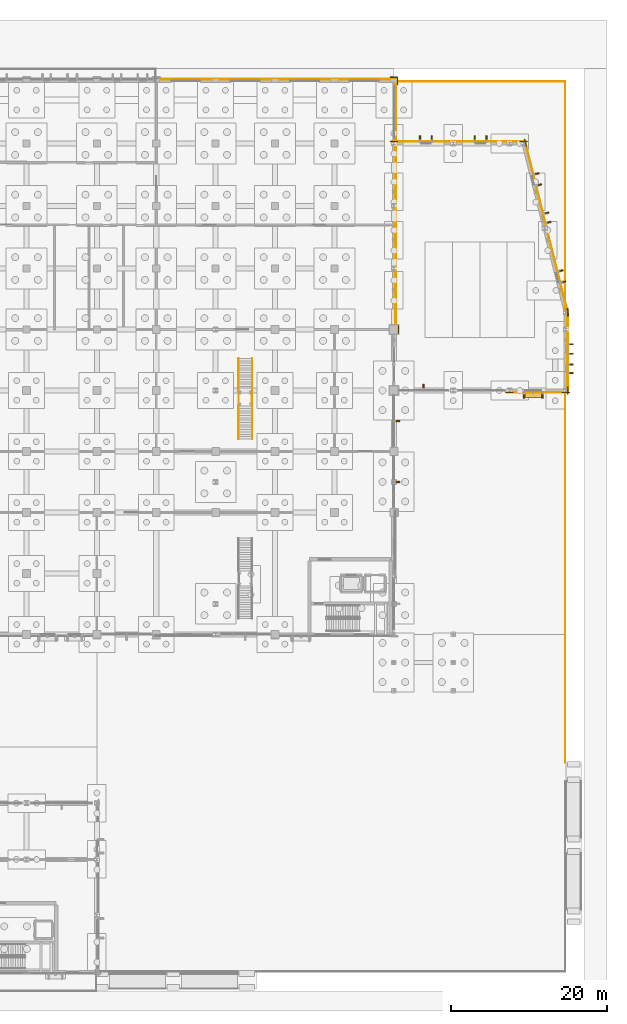
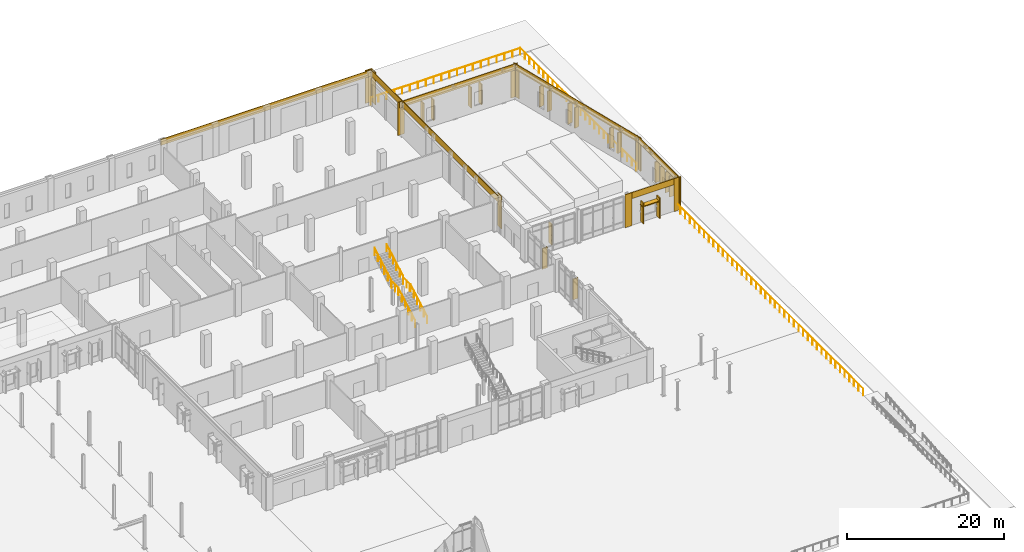
# One storey, part 93 of 94: 20 shading devices, 17 coverings, 10 railings.
"""IFC4 building model written with IfcOpenShell, lengths in metres."""

import ifcopenshell
import ifcopenshell.guid

model = None  # the IFC model being written
_history = None  # IfcOwnerHistory: only IFC2X3 demands one
_inside = {}  # id of a spatial element -> (the spatial element, [elements in it])
_under = {}  # id of a project, library or spatial element -> (it, [spatial elements below it])
_declared = {}  # id of a project -> (the project, [libraries it declares])
_typed = {}  # id of a type object -> (the type object, [elements of that type])
_made_of = {}  # id of a material, layer set ... -> (it, [elements and type objects made of it])


def new_model(schema):
    """Start an empty IFC model of exactly this schema.

    Asked for "IFC4X3", IfcOpenShell would pick the latest addendum, in which some entities
    have other attributes; the version numbers below select the first issue.
    IFC2X3 requires an IfcOwnerHistory on every rooted entity: one is made here for all.
    """
    global model, _history
    if schema == "IFC4X3":
        model = ifcopenshell.file(schema_version=(4, 3, 0, 0))
    else:
        model = ifcopenshell.file(schema=schema)
    _inside.clear()
    _under.clear()
    _declared.clear()
    _typed.clear()
    _made_of.clear()
    _history = None
    if model.schema == "IFC2X3":
        org = make("IfcOrganization", Name="unknown")
        user = make(
            "IfcPersonAndOrganization",
            ThePerson=make("IfcPerson", FamilyName="unknown"),
            TheOrganization=org,
        )
        app = make(
            "IfcApplication",
            ApplicationDeveloper=org,
            Version="unknown",
            ApplicationFullName="unknown",
            ApplicationIdentifier="unknown",
        )
        _history = make(
            "IfcOwnerHistory",
            OwningUser=user,
            OwningApplication=app,
            ChangeAction="ADDED",
            CreationDate=0,
        )
    return model


def make(cls, **values):
    """One entity of the class cls with the attributes given. An attribute that is None is left unset."""
    return model.create_entity(
        cls, **{name: value for name, value in values.items() if value is not None}
    )


def rooted(cls, **values):
    """An entity with a GlobalId (a new one), such as an element, a storey or a relation."""
    return make(cls, GlobalId=ifcopenshell.guid.new(), OwnerHistory=_history, **values)


def si_unit(unit_type, name, prefix=None):
    """IfcSIUnit, for example si_unit("LENGTHUNIT", "METRE", prefix="MILLI")."""
    return make("IfcSIUnit", UnitType=unit_type, Prefix=prefix, Name=name)


def assignment(units):
    """IfcUnitAssignment: the units of a project."""
    return None if units is None else make("IfcUnitAssignment", Units=units)


def point(xyz):
    """IfcCartesianPoint."""
    return None if xyz is None else make("IfcCartesianPoint", Coordinates=xyz)


def direction(xyz):
    """IfcDirection."""
    return None if xyz is None else make("IfcDirection", DirectionRatios=xyz)


def frame(location, z_axis=None, x_axis=None):
    """IfcAxis2Placement3D, a coordinate frame: its origin and axes. An axis left out is left unset."""
    return make(
        "IfcAxis2Placement3D",
        Location=point(location),
        Axis=direction(z_axis),
        RefDirection=direction(x_axis),
    )


def frame_2d(location, x_axis=None):
    """IfcAxis2Placement2D, a coordinate frame in the plane: its origin and x axis."""
    return make(
        "IfcAxis2Placement2D", Location=point(location), RefDirection=direction(x_axis)
    )


def origin():
    """The frame at (0, 0, 0) with its axes left unset."""
    return frame((0.0, 0.0, 0.0))


def origin_2d():
    """The frame at (0, 0) in the plane with its x axis left unset."""
    return frame_2d((0.0, 0.0))


def place(relative_to, where):
    """IfcLocalPlacement: puts the frame where relative to a parent placement (None: the world)."""
    return make(
        "IfcLocalPlacement", PlacementRelTo=relative_to, RelativePlacement=where
    )


def context(
    kind, dimensions, precision=None, world=None, true_north=None, identifier=None
):
    """IfcGeometricRepresentationContext, for example the 3D "Model" context."""
    return make(
        "IfcGeometricRepresentationContext",
        ContextIdentifier=identifier,
        ContextType=kind,
        CoordinateSpaceDimension=dimensions,
        Precision=precision,
        WorldCoordinateSystem=world,
        TrueNorth=true_north,
    )


def subcontext(parent, identifier, kind, view, scale=None):
    """IfcGeometricRepresentationSubContext, for example "Body" below "Model"."""
    return make(
        "IfcGeometricRepresentationSubContext",
        ContextIdentifier=identifier,
        ContextType=kind,
        ParentContext=parent,
        TargetScale=scale,
        TargetView=view,
    )


def project(units=None, contexts=None):
    """IfcProject with its units and contexts."""
    return rooted(
        "IfcProject",
        Name="project",
        RepresentationContexts=contexts,
        UnitsInContext=assignment(units),
    )


def spatial(cls, under=None, at=None, **own):
    """A site, building, storey or space (cls), placed at a placement, below another one or the project."""
    s = rooted(cls, ObjectPlacement=at, **own)
    if under is not None:
        _under.setdefault(under.id(), (under, []))[1].append(s)
    return s


def profile(cls, at=None, kind="AREA", **sizes):
    """A parametric profile (cls). Its sizes go by their IFC names, for example OverallWidth=200.0."""
    return make(cls, ProfileType=kind, Position=at, **sizes)


def rectangle(**sizes):
    """IfcRectangleProfileDef."""
    return profile("IfcRectangleProfileDef", **sizes)


def circle(**sizes):
    """IfcCircleProfileDef."""
    return profile("IfcCircleProfileDef", **sizes)


def extrude(swept, where, along, depth):
    """IfcExtrudedAreaSolid: the profile swept, set in the frame where, extruded along a direction by depth."""
    return make(
        "IfcExtrudedAreaSolid",
        SweptArea=swept,
        Position=where,
        ExtrudedDirection=direction(along),
        Depth=depth,
    )


def shape(context_of_items, identifier, shape_type, items):
    """IfcShapeRepresentation: the items that make up one representation, for example the "Body"."""
    return make(
        "IfcShapeRepresentation",
        ContextOfItems=context_of_items,
        RepresentationIdentifier=identifier,
        RepresentationType=shape_type,
        Items=items,
    )


def material(Name=None, Category=None):
    """IfcMaterial."""
    return make("IfcMaterial", Name=Name, Category=Category)


def layer(
    of_material, thickness, ventilated=None, Name=None, Category=None, Priority=None
):
    """IfcMaterialLayer: one layer of a wall or slab, of a material (None: an air gap)."""
    return make(
        "IfcMaterialLayer",
        Material=of_material,
        LayerThickness=thickness,
        IsVentilated=ventilated,
        Name=Name,
        Category=Category,
        Priority=Priority,
    )


def layer_set(layers, Name=None):
    """IfcMaterialLayerSet."""
    return make("IfcMaterialLayerSet", MaterialLayers=layers, LayerSetName=Name)


def made_of(thing, what):
    """Note that an element or type object is made of a material, layer set ...; save() writes the relation."""
    if what is not None:
        _made_of.setdefault(what.id(), (what, []))[1].append(thing)
    return thing


def type_object(cls, material=None, **own):
    """A type object (cls), such as IfcWallType, which elements share."""
    return made_of(rooted(cls, **own), material)


def element(
    cls,
    number,
    at=None,
    inside=None,
    cuts=None,
    type_object=None,
    material=None,
    context=None,
    identifier="Body",
    shape_type=None,
    held_by="IfcProductDefinitionShape",
    body=None,
    shapes=None,
    **own,
):
    """One element of the class cls, such as IfcWall. Its Tag is "e" and its number.

    at: its placement. inside: the storey or other place that contains it. cuts: it is an
    opening in that element (IfcRelVoidsElement). A single representation is given by context,
    identifier, shape_type and body (its items); several are given by shapes. held_by: the class
    of the entity that holds the representations. save() writes the other relations.
    """
    e = rooted(cls, Tag="e%d" % number, ObjectPlacement=at, **own)
    if body is not None:
        shapes = [shape(context, identifier, shape_type, body)]
    if shapes is not None:
        e.Representation = make(held_by, Representations=shapes)
    if inside is not None:
        _inside.setdefault(inside.id(), (inside, []))[1].append(e)
    if cuts is not None:
        rooted(
            "IfcRelVoidsElement", RelatingBuildingElement=cuts, RelatedOpeningElement=e
        )
    if type_object is not None:
        _typed.setdefault(type_object.id(), (type_object, []))[1].append(e)
    return made_of(e, material)


def aggregate(whole, parts):
    """IfcRelAggregates: a whole, such as a stair, and the parts it consists of."""
    return rooted("IfcRelAggregates", RelatingObject=whole, RelatedObjects=parts)


def save(model, path):
    """Write the relations noted so far, then the file.

    IfcRelAggregates (storeys below a building ...), IfcRelContainedInSpatialStructure (elements
    in a storey), IfcRelDefinesByType, IfcRelAssociatesMaterial and IfcRelDeclares: one each for
    every whole, place, type object, material and project.
    """
    for whole, parts in _under.values():
        aggregate(whole, parts)
    for where, things in _inside.values():
        rooted(
            "IfcRelContainedInSpatialStructure",
            RelatedElements=things,
            RelatingStructure=where,
        )
    for kind, things in _typed.values():
        rooted("IfcRelDefinesByType", RelatedObjects=things, RelatingType=kind)
    for what, things in _made_of.values():
        rooted("IfcRelAssociatesMaterial", RelatedObjects=things, RelatingMaterial=what)
    for by, libraries in _declared.values():
        rooted("IfcRelDeclares", RelatingContext=by, RelatedDefinitions=libraries)
    model.write(path)


model = new_model("IFC4")

# Units and contexts
model_context = context("Model", 3, precision=1e-05, world=origin(), true_north=direction((0.0, 1.0)))
body_context = subcontext(model_context, "Body", "Model", "MODEL_VIEW")
ifc_project = project(units=[si_unit("LENGTHUNIT", "METRE"), si_unit("AREAUNIT", "SQUARE_METRE"), si_unit("VOLUMEUNIT", "CUBIC_METRE"), si_unit("PLANEANGLEUNIT", "RADIAN"), si_unit("MASSUNIT", "GRAM", prefix="KILO")], contexts=[model_context])

# Site, building, storey
site_placement = place(None, origin())
site = spatial("IfcSite", under=ifc_project, at=site_placement, CompositionType="ELEMENT")
building_placement = place(site_placement, origin())
building = spatial("IfcBuilding", under=site, at=building_placement, Name="Vervanel Yard Central Library", CompositionType="ELEMENT")
storey_placement = place(building_placement, origin())
storey = spatial("IfcBuildingStorey", under=building, at=storey_placement, Name="L00", CompositionType="ELEMENT", Elevation=0.0)

# Coverings
ifc_material_1 = material(Name="Precast concrete C45/55", Category="concrete")
ifc_layer = layer(ifc_material_1, 0.0849609375, Category="concrete")
ifc_layer_set = layer_set([ifc_layer], Name="Precast concrete C45/55")
covering_type = type_object("IfcCoveringType", Name="Bush-Hammered Precast Architectural Cladding Panel", PredefinedType="CLADDING", material=ifc_layer_set)
covering_1_placement = place(storey_placement, frame((130.800048828125, 114.22998046875, 4.179931640625), z_axis=(0.0, 0.0, 1.0), x_axis=(1.0, 0.0, 0.0)))
element("IfcCovering", 1, at=covering_1_placement, inside=storey, type_object=covering_type, Name="L00 Precast Concrete Spandrel Cornice EWALL-L00-0010", PredefinedType="CLADDING", context=body_context, shape_type="SweptSolid", body=[
    extrude(rectangle(XDim=30.85009765625, YDim=0.0849609375, at=origin_2d()), origin(), (0.0, 0.0, 1.0), 0.93994140625),
])
covering_2_placement = place(storey_placement, frame((146.0, 114.467529296875, 0.0), z_axis=(0.0, 0.0, 1.0), x_axis=(1.0, 0.0, 0.0)))
element("IfcCovering", 2, at=covering_2_placement, inside=storey, type_object=covering_type, Name="L00 Precast Concrete Pier Pilaster EWALL-L00-0010-B", PredefinedType="CLADDING", context=body_context, shape_type="SweptSolid", body=[
    extrude(rectangle(XDim=0.97998046875, YDim=0.0849609375, at=origin_2d()), origin(), (0.0, 0.0, 1.0), 5.1201171875),
])
covering_3_placement = place(storey_placement, frame((146.239990234375, 98.10009765625, 4.179931640625), z_axis=(0.0, 0.0, 1.0), x_axis=(0.0, 1.0, 0.0)))
element("IfcCovering", 3, at=covering_3_placement, inside=storey, type_object=covering_type, Name="L00 Precast Concrete Spandrel Cornice EWALL-L00-0018", PredefinedType="CLADDING", context=body_context, shape_type="SweptSolid", body=[
    extrude(rectangle(XDim=32.25, YDim=0.0849609375, at=origin_2d()), origin(), (0.0, 0.0, 1.0), 0.93994140625),
])
for number, where, z_axis, x_axis, name in (
    (4, (146.592529296875, 82.199951171875, 0.0), (0.0, 0.0, 1.0), (0.0, 1.0, 0.0), "L00 Precast Concrete Pier Pilaster EWALL-L00-0018-A"),
    (5, (146.467529296875, 114.0, 0.0), (0.0, 0.0, 1.0), (0.0, 1.0, 0.0), "L00 Precast Concrete Pier Pilaster EWALL-L00-0018-B"),
):
    element("IfcCovering", number, at=place(storey_placement, frame(where, z_axis=z_axis, x_axis=x_axis)), inside=storey, type_object=covering_type, Name=name, PredefinedType="CLADDING", context=body_context, shape_type="SweptSolid", body=[
        extrude(rectangle(XDim=0.97998046875, YDim=0.0849609375, at=origin_2d()), origin(), (0.0, 0.0, 1.0), 5.1201171875),
    ])
covering_4_placement = place(storey_placement, frame((164.39990234375, 74.14990234375, 4.179931640625), z_axis=(0.0, 0.0, 1.0), x_axis=(1.0, 0.0, 0.0)))
element("IfcCovering", 6, at=covering_4_placement, inside=storey, type_object=covering_type, Name="L00 Precast Concrete Spandrel Cornice EWALL-L00-0178", PredefinedType="CLADDING", context=body_context, shape_type="SweptSolid", body=[
    extrude(rectangle(XDim=7.64990234375, YDim=0.0849609375, at=origin_2d()), origin(), (0.0, 0.0, 1.0), 0.93994140625),
])
for number, where, z_axis, x_axis, name in (
    (7, (160.800048828125, 74.1474609375, 0.0), (0.0, 0.0, 1.0), (1.0, 0.0, 0.0), "L00 Precast Concrete Pier Pilaster EWALL-L00-0178-A"),
    (8, (168.0, 74.1474609375, 0.0), (0.0, 0.0, 1.0), (1.0, 0.0, 0.0), "L00 Precast Concrete Pier Pilaster EWALL-L00-0178-B"),
):
    element("IfcCovering", number, at=place(storey_placement, frame(where, z_axis=z_axis, x_axis=x_axis)), inside=storey, type_object=covering_type, Name=name, PredefinedType="CLADDING", context=body_context, shape_type="SweptSolid", body=[
        extrude(rectangle(XDim=0.97998046875, YDim=0.0849609375, at=origin_2d()), origin(), (0.0, 0.0, 1.0), 5.1201171875),
    ])
covering_5_placement = place(storey_placement, frame((168.25, 79.39990234375, 4.179931640625), z_axis=(0.0, 0.0, 1.0), x_axis=(0.0, 1.0, 0.0)))
element("IfcCovering", 9, at=covering_5_placement, inside=storey, type_object=covering_type, Name="L00 Precast Concrete Spandrel Cornice EWALL-L00-0179", PredefinedType="CLADDING", context=body_context, shape_type="SweptSolid", body=[
    extrude(rectangle(XDim=10.449951171875, YDim=0.0849609375, at=origin_2d()), origin(), (0.0, 0.0, 1.0), 0.93994140625),
])
for number, where, z_axis, x_axis, name in (
    (10, (168.25244140625, 74.39990234375, 0.0), (0.0, 0.0, 1.0), (0.0, 1.0, 0.0), "L00 Precast Concrete Pier Pilaster EWALL-L00-0179-A"),
    (11, (168.25244140625, 84.39990234375, 0.0), (0.0, 0.0, 1.0), (0.0, 1.0, 0.0), "L00 Precast Concrete Pier Pilaster EWALL-L00-0179-B"),
):
    element("IfcCovering", number, at=place(storey_placement, frame(where, z_axis=z_axis, x_axis=x_axis)), inside=storey, type_object=covering_type, Name=name, PredefinedType="CLADDING", context=body_context, shape_type="SweptSolid", body=[
        extrude(rectangle(XDim=0.97998046875, YDim=0.0849609375, at=origin_2d()), origin(), (0.0, 0.0, 1.0), 5.1201171875),
    ])
covering_6_placement = place(storey_placement, frame((165.54248046875, 95.260498046875, 4.179931640625), z_axis=(0.0, 0.0, 1.0), x_axis=(-0.242534889029, 0.970142684147, 0.0)))
element("IfcCovering", 12, at=covering_6_placement, inside=storey, type_object=covering_type, Name="L00 Precast Concrete Spandrel Cornice EWALL-L00-0180", PredefinedType="CLADDING", context=body_context, shape_type="SweptSolid", body=[
    extrude(rectangle(XDim=22.71484375, YDim=0.0849609375, at=origin_2d()), origin(), (0.0, 0.0, 1.0), 0.93994140625),
])
for number, where, z_axis, x_axis, name in (
    (13, (168.2451171875, 84.461181640625, 0.0), (0.0, 0.0, 1.0), (-0.242534889029, 0.970142684147, 0.0), "L00 Precast Concrete Pier Pilaster EWALL-L00-0180-A"),
    (14, (162.844970703125, 106.061279296875, 0.0), (0.0, 0.0, 1.0), (-0.242534889029, 0.970142684147, 0.0), "L00 Precast Concrete Pier Pilaster EWALL-L00-0180-B"),
):
    element("IfcCovering", number, at=place(storey_placement, frame(where, z_axis=z_axis, x_axis=x_axis)), inside=storey, type_object=covering_type, Name=name, PredefinedType="CLADDING", context=body_context, shape_type="SweptSolid", body=[
        extrude(rectangle(XDim=0.97998046875, YDim=0.0849609375, at=origin_2d()), origin(), (0.0, 0.0, 1.0), 5.1201171875),
    ])
covering_7_placement = place(storey_placement, frame((154.300048828125, 106.25, 4.179931640625), z_axis=(0.0, 0.0, 1.0), x_axis=(1.0, 0.0, 0.0)))
element("IfcCovering", 15, at=covering_7_placement, inside=storey, type_object=covering_type, Name="L00 Precast Concrete Spandrel Cornice EWALL-L00-0181", PredefinedType="CLADDING", context=body_context, shape_type="SweptSolid", body=[
    extrude(rectangle(XDim=17.050048828125, YDim=0.0849609375, at=origin_2d()), origin(), (0.0, 0.0, 1.0), 0.93994140625),
])
for number, where, z_axis, x_axis, name in (
    (16, (146.0, 106.25244140625, 0.0), (0.0, 0.0, 1.0), (1.0, 0.0, 0.0), "L00 Precast Concrete Pier Pilaster EWALL-L00-0181-A"),
    (17, (162.60009765625, 106.25244140625, 0.0), (0.0, 0.0, 1.0), (1.0, 0.0, 0.0), "L00 Precast Concrete Pier Pilaster EWALL-L00-0181-B"),
):
    element("IfcCovering", number, at=place(storey_placement, frame(where, z_axis=z_axis, x_axis=x_axis)), inside=storey, type_object=covering_type, Name=name, PredefinedType="CLADDING", context=body_context, shape_type="SweptSolid", body=[
        extrude(rectangle(XDim=0.97998046875, YDim=0.0849609375, at=origin_2d()), origin(), (0.0, 0.0, 1.0), 5.1201171875),
    ])

# Railings
ifc_material_2 = material(Name="Brushed stainless steel AISI 316", Category="steel")
railing_type_1 = type_object("IfcRailingType", Name="Exterior Terrace Guardrail 1100", PredefinedType="GUARDRAIL", material=ifc_material_2)
railing_1_placement = place(storey_placement, frame((167.919921875, 26.800048828125, 0.0)))
element("IfcRailing", 18, at=railing_1_placement, inside=storey, type_object=railing_type_1, Name="L00 Southeast Forecourt Arrival Plaza Edge Guard 6", PredefinedType="GUARDRAIL", context=body_context, shape_type="SweptSolid", body=[
    extrude(circle(Radius=0.02392578125, at=origin_2d()), frame((0.0, 0.0, 1.076171875), z_axis=(0.0, 1.0, 0.0), x_axis=(-1.0, 0.0, 0.0)), (0.0, 0.0, 1.0), 16.39990234375),
    extrude(circle(Radius=0.02099609375, at=origin_2d()), origin(), (0.0, 0.0, 1.0), 1.052001953125),
    extrude(circle(Radius=0.02099609375, at=origin_2d()), frame((0.0, 1.17138671875, 0.0)), (0.0, 0.0, 1.0), 1.052001953125),
    extrude(circle(Radius=0.02099609375, at=origin_2d()), frame((0.0, 2.3427734375, 0.0)), (0.0, 0.0, 1.0), 1.052001953125),
    extrude(circle(Radius=0.02099609375, at=origin_2d()), frame((0.0, 3.51416015625, 0.0)), (0.0, 0.0, 1.0), 1.052001953125),
    extrude(circle(Radius=0.02099609375, at=origin_2d()), frame((0.0, 4.685791015625, 0.0)), (0.0, 0.0, 1.0), 1.052001953125),
    extrude(circle(Radius=0.02099609375, at=origin_2d()), frame((0.0, 5.857177734375, 0.0)), (0.0, 0.0, 1.0), 1.052001953125),
    extrude(circle(Radius=0.02099609375, at=origin_2d()), frame((0.0, 7.028564453125, 0.0)), (0.0, 0.0, 1.0), 1.052001953125),
    extrude(circle(Radius=0.02099609375, at=origin_2d()), frame((0.0, 8.199951171875, 0.0)), (0.0, 0.0, 1.0), 1.052001953125),
    extrude(circle(Radius=0.02099609375, at=origin_2d()), frame((0.0, 9.371337890625, 0.0)), (0.0, 0.0, 1.0), 1.052001953125),
    extrude(circle(Radius=0.02099609375, at=origin_2d()), frame((0.0, 10.542724609375, 0.0)), (0.0, 0.0, 1.0), 1.052001953125),
    extrude(circle(Radius=0.02099609375, at=origin_2d()), frame((0.0, 11.714111328125, 0.0)), (0.0, 0.0, 1.0), 1.052001953125),
    extrude(circle(Radius=0.02099609375, at=origin_2d()), frame((0.0, 12.8857421875, 0.0)), (0.0, 0.0, 1.0), 1.052001953125),
    extrude(circle(Radius=0.02099609375, at=origin_2d()), frame((0.0, 14.05712890625, 0.0)), (0.0, 0.0, 1.0), 1.052001953125),
    extrude(circle(Radius=0.02099609375, at=origin_2d()), frame((0.0, 15.228515625, 0.0)), (0.0, 0.0, 1.0), 1.052001953125),
    extrude(circle(Radius=0.02099609375, at=origin_2d()), frame((0.0, 16.39990234375, 0.0)), (0.0, 0.0, 1.0), 1.052001953125),
])
railing_2_placement = place(storey_placement, frame((167.919921875, 43.199951171875, 0.0)))
element("IfcRailing", 19, at=railing_2_placement, inside=storey, type_object=railing_type_1, Name="L00 Prow Covered Civic Forecourt Terrace Edge Guard 7", PredefinedType="GUARDRAIL", context=body_context, shape_type="SweptSolid", body=[
    extrude(circle(Radius=0.02392578125, at=origin_2d()), frame((0.0, 0.0, 1.076171875), z_axis=(0.0, 1.0, 0.0), x_axis=(-1.0, 0.0, 0.0)), (0.0, 0.0, 1.0), 31.199951171875),
    extrude(circle(Radius=0.02099609375, at=origin_2d()), origin(), (0.0, 0.0, 1.0), 1.052001953125),
    extrude(circle(Radius=0.02099609375, at=origin_2d()), frame((0.0, 1.199951171875, 0.0)), (0.0, 0.0, 1.0), 1.052001953125),
    extrude(circle(Radius=0.02099609375, at=origin_2d()), frame((0.0, 2.39990234375, 0.0)), (0.0, 0.0, 1.0), 1.052001953125),
    extrude(circle(Radius=0.02099609375, at=origin_2d()), frame((0.0, 3.60009765625, 0.0)), (0.0, 0.0, 1.0), 1.052001953125),
    extrude(circle(Radius=0.02099609375, at=origin_2d()), frame((0.0, 4.800048828125, 0.0)), (0.0, 0.0, 1.0), 1.052001953125),
    extrude(circle(Radius=0.02099609375, at=origin_2d()), frame((0.0, 6.0, 0.0)), (0.0, 0.0, 1.0), 1.052001953125),
    extrude(circle(Radius=0.02099609375, at=origin_2d()), frame((0.0, 7.199951171875, 0.0)), (0.0, 0.0, 1.0), 1.052001953125),
    extrude(circle(Radius=0.02099609375, at=origin_2d()), frame((0.0, 8.39990234375, 0.0)), (0.0, 0.0, 1.0), 1.052001953125),
    extrude(circle(Radius=0.02099609375, at=origin_2d()), frame((0.0, 9.60009765625, 0.0)), (0.0, 0.0, 1.0), 1.052001953125),
    extrude(circle(Radius=0.02099609375, at=origin_2d()), frame((0.0, 10.800048828125, 0.0)), (0.0, 0.0, 1.0), 1.052001953125),
    extrude(circle(Radius=0.02099609375, at=origin_2d()), frame((0.0, 12.0, 0.0)), (0.0, 0.0, 1.0), 1.052001953125),
    extrude(circle(Radius=0.02099609375, at=origin_2d()), frame((0.0, 13.199951171875, 0.0)), (0.0, 0.0, 1.0), 1.052001953125),
    extrude(circle(Radius=0.02099609375, at=origin_2d()), frame((0.0, 14.39990234375, 0.0)), (0.0, 0.0, 1.0), 1.052001953125),
    extrude(circle(Radius=0.02099609375, at=origin_2d()), frame((0.0, 15.60009765625, 0.0)), (0.0, 0.0, 1.0), 1.052001953125),
    extrude(circle(Radius=0.02099609375, at=origin_2d()), frame((0.0, 16.800048828125, 0.0)), (0.0, 0.0, 1.0), 1.052001953125),
    extrude(circle(Radius=0.02099609375, at=origin_2d()), frame((0.0, 18.0, 0.0)), (0.0, 0.0, 1.0), 1.052001953125),
    extrude(circle(Radius=0.02099609375, at=origin_2d()), frame((0.0, 19.199951171875, 0.0)), (0.0, 0.0, 1.0), 1.052001953125),
    extrude(circle(Radius=0.02099609375, at=origin_2d()), frame((0.0, 20.39990234375, 0.0)), (0.0, 0.0, 1.0), 1.052001953125),
    extrude(circle(Radius=0.02099609375, at=origin_2d()), frame((0.0, 21.599853515625, 0.0)), (0.0, 0.0, 1.0), 1.052001953125),
    extrude(circle(Radius=0.02099609375, at=origin_2d()), frame((0.0, 22.800048828125, 0.0)), (0.0, 0.0, 1.0), 1.052001953125),
    extrude(circle(Radius=0.02099609375, at=origin_2d()), frame((0.0, 24.0, 0.0)), (0.0, 0.0, 1.0), 1.052001953125),
    extrude(circle(Radius=0.02099609375, at=origin_2d()), frame((0.0, 25.199951171875, 0.0)), (0.0, 0.0, 1.0), 1.052001953125),
    extrude(circle(Radius=0.02099609375, at=origin_2d()), frame((0.0, 26.39990234375, 0.0)), (0.0, 0.0, 1.0), 1.052001953125),
    extrude(circle(Radius=0.02099609375, at=origin_2d()), frame((0.0, 27.599853515625, 0.0)), (0.0, 0.0, 1.0), 1.052001953125),
    extrude(circle(Radius=0.02099609375, at=origin_2d()), frame((0.0, 28.800048828125, 0.0)), (0.0, 0.0, 1.0), 1.052001953125),
    extrude(circle(Radius=0.02099609375, at=origin_2d()), frame((0.0, 30.0, 0.0)), (0.0, 0.0, 1.0), 1.052001953125),
    extrude(circle(Radius=0.02099609375, at=origin_2d()), frame((0.0, 31.199951171875, 0.0)), (0.0, 0.0, 1.0), 1.052001953125),
])
railing_3_placement = place(storey_placement, frame((167.919921875, 84.39990234375, 0.0)))
element("IfcRailing", 20, at=railing_3_placement, inside=storey, type_object=railing_type_1, Name="L00 Northeast Service Gate and Chamfer Plinth Deck Edge Guard 8", PredefinedType="GUARDRAIL", context=body_context, shape_type="SweptSolid", body=[
    extrude(circle(Radius=0.02392578125, at=origin_2d()), frame((0.0, 0.0, 1.076171875), z_axis=(0.0, 1.0, 0.0), x_axis=(-1.0, 0.0, 0.0)), (0.0, 0.0, 1.0), 29.52001953125),
    extrude(circle(Radius=0.02099609375, at=origin_2d()), origin(), (0.0, 0.0, 1.0), 1.052001953125),
    extrude(circle(Radius=0.02099609375, at=origin_2d()), frame((0.0, 1.180908203125, 0.0)), (0.0, 0.0, 1.0), 1.052001953125),
    extrude(circle(Radius=0.02099609375, at=origin_2d()), frame((0.0, 2.361572265625, 0.0)), (0.0, 0.0, 1.0), 1.052001953125),
    extrude(circle(Radius=0.02099609375, at=origin_2d()), frame((0.0, 3.54248046875, 0.0)), (0.0, 0.0, 1.0), 1.052001953125),
    extrude(circle(Radius=0.02099609375, at=origin_2d()), frame((0.0, 4.72314453125, 0.0)), (0.0, 0.0, 1.0), 1.052001953125),
    extrude(circle(Radius=0.02099609375, at=origin_2d()), frame((0.0, 5.904052734375, 0.0)), (0.0, 0.0, 1.0), 1.052001953125),
    extrude(circle(Radius=0.02099609375, at=origin_2d()), frame((0.0, 7.084716796875, 0.0)), (0.0, 0.0, 1.0), 1.052001953125),
    extrude(circle(Radius=0.02099609375, at=origin_2d()), frame((0.0, 8.265625, 0.0)), (0.0, 0.0, 1.0), 1.052001953125),
    extrude(circle(Radius=0.02099609375, at=origin_2d()), frame((0.0, 9.4462890625, 0.0)), (0.0, 0.0, 1.0), 1.052001953125),
    extrude(circle(Radius=0.02099609375, at=origin_2d()), frame((0.0, 10.627197265625, 0.0)), (0.0, 0.0, 1.0), 1.052001953125),
    extrude(circle(Radius=0.02099609375, at=origin_2d()), frame((0.0, 11.80810546875, 0.0)), (0.0, 0.0, 1.0), 1.052001953125),
    extrude(circle(Radius=0.02099609375, at=origin_2d()), frame((0.0, 12.98876953125, 0.0)), (0.0, 0.0, 1.0), 1.052001953125),
    extrude(circle(Radius=0.02099609375, at=origin_2d()), frame((0.0, 14.169677734375, 0.0)), (0.0, 0.0, 1.0), 1.052001953125),
    extrude(circle(Radius=0.02099609375, at=origin_2d()), frame((0.0, 15.350341796875, 0.0)), (0.0, 0.0, 1.0), 1.052001953125),
    extrude(circle(Radius=0.02099609375, at=origin_2d()), frame((0.0, 16.53125, 0.0)), (0.0, 0.0, 1.0), 1.052001953125),
    extrude(circle(Radius=0.02099609375, at=origin_2d()), frame((0.0, 17.7119140625, 0.0)), (0.0, 0.0, 1.0), 1.052001953125),
    extrude(circle(Radius=0.02099609375, at=origin_2d()), frame((0.0, 18.892822265625, 0.0)), (0.0, 0.0, 1.0), 1.052001953125),
    extrude(circle(Radius=0.02099609375, at=origin_2d()), frame((0.0, 20.07373046875, 0.0)), (0.0, 0.0, 1.0), 1.052001953125),
    extrude(circle(Radius=0.02099609375, at=origin_2d()), frame((0.0, 21.25439453125, 0.0)), (0.0, 0.0, 1.0), 1.052001953125),
    extrude(circle(Radius=0.02099609375, at=origin_2d()), frame((0.0, 22.435302734375, 0.0)), (0.0, 0.0, 1.0), 1.052001953125),
    extrude(circle(Radius=0.02099609375, at=origin_2d()), frame((0.0, 23.615966796875, 0.0)), (0.0, 0.0, 1.0), 1.052001953125),
    extrude(circle(Radius=0.02099609375, at=origin_2d()), frame((0.0, 24.796875, 0.0)), (0.0, 0.0, 1.0), 1.052001953125),
    extrude(circle(Radius=0.02099609375, at=origin_2d()), frame((0.0, 25.9775390625, 0.0)), (0.0, 0.0, 1.0), 1.052001953125),
    extrude(circle(Radius=0.02099609375, at=origin_2d()), frame((0.0, 27.158447265625, 0.0)), (0.0, 0.0, 1.0), 1.052001953125),
    extrude(circle(Radius=0.02099609375, at=origin_2d()), frame((0.0, 28.339111328125, 0.0)), (0.0, 0.0, 1.0), 1.052001953125),
    extrude(circle(Radius=0.02099609375, at=origin_2d()), frame((0.0, 29.52001953125, 0.0)), (0.0, 0.0, 1.0), 1.052001953125),
])
railing_4_placement = place(storey_placement, frame((146.0, 113.919921875, 0.0)))
element("IfcRailing", 21, at=railing_4_placement, inside=storey, type_object=railing_type_1, Name="L00 Northeast Service Gate and Chamfer Plinth Deck Edge Guard 9", PredefinedType="GUARDRAIL", context=body_context, shape_type="SweptSolid", body=[
    extrude(circle(Radius=0.02392578125, at=origin_2d()), frame((0.0, 0.0, 1.076171875), z_axis=(1.0, 0.0, 0.0), x_axis=(0.0, 1.0, 0.0)), (0.0, 0.0, 1.0), 21.919921875),
    extrude(circle(Radius=0.02099609375, at=origin_2d()), origin(), (0.0, 0.0, 1.0), 1.052001953125),
    extrude(circle(Radius=0.02099609375, at=origin_2d()), frame((1.153564453125, 0.0, 0.0)), (0.0, 0.0, 1.0), 1.052001953125),
    extrude(circle(Radius=0.02099609375, at=origin_2d()), frame((2.307373046875, 0.0, 0.0)), (0.0, 0.0, 1.0), 1.052001953125),
    extrude(circle(Radius=0.02099609375, at=origin_2d()), frame((3.4609375, 0.0, 0.0)), (0.0, 0.0, 1.0), 1.052001953125),
    extrude(circle(Radius=0.02099609375, at=origin_2d()), frame((4.61474609375, 0.0, 0.0)), (0.0, 0.0, 1.0), 1.052001953125),
    extrude(circle(Radius=0.02099609375, at=origin_2d()), frame((5.768310546875, 0.0, 0.0)), (0.0, 0.0, 1.0), 1.052001953125),
    extrude(circle(Radius=0.02099609375, at=origin_2d()), frame((6.922119140625, 0.0, 0.0)), (0.0, 0.0, 1.0), 1.052001953125),
    extrude(circle(Radius=0.02099609375, at=origin_2d()), frame((8.07568359375, 0.0, 0.0)), (0.0, 0.0, 1.0), 1.052001953125),
    extrude(circle(Radius=0.02099609375, at=origin_2d()), frame((9.2294921875, 0.0, 0.0)), (0.0, 0.0, 1.0), 1.052001953125),
    extrude(circle(Radius=0.02099609375, at=origin_2d()), frame((10.383056640625, 0.0, 0.0)), (0.0, 0.0, 1.0), 1.052001953125),
    extrude(circle(Radius=0.02099609375, at=origin_2d()), frame((11.536865234375, 0.0, 0.0)), (0.0, 0.0, 1.0), 1.052001953125),
    extrude(circle(Radius=0.02099609375, at=origin_2d()), frame((12.6904296875, 0.0, 0.0)), (0.0, 0.0, 1.0), 1.052001953125),
    extrude(circle(Radius=0.02099609375, at=origin_2d()), frame((13.84423828125, 0.0, 0.0)), (0.0, 0.0, 1.0), 1.052001953125),
    extrude(circle(Radius=0.02099609375, at=origin_2d()), frame((14.997802734375, 0.0, 0.0)), (0.0, 0.0, 1.0), 1.052001953125),
    extrude(circle(Radius=0.02099609375, at=origin_2d()), frame((16.151611328125, 0.0, 0.0)), (0.0, 0.0, 1.0), 1.052001953125),
    extrude(circle(Radius=0.02099609375, at=origin_2d()), frame((17.30517578125, 0.0, 0.0)), (0.0, 0.0, 1.0), 1.052001953125),
    extrude(circle(Radius=0.02099609375, at=origin_2d()), frame((18.458984375, 0.0, 0.0)), (0.0, 0.0, 1.0), 1.052001953125),
    extrude(circle(Radius=0.02099609375, at=origin_2d()), frame((19.612548828125, 0.0, 0.0)), (0.0, 0.0, 1.0), 1.052001953125),
    extrude(circle(Radius=0.02099609375, at=origin_2d()), frame((20.766357421875, 0.0, 0.0)), (0.0, 0.0, 1.0), 1.052001953125),
    extrude(circle(Radius=0.02099609375, at=origin_2d()), frame((21.919921875, 0.0, 0.0)), (0.0, 0.0, 1.0), 1.052001953125),
])

# Shading device
shading_device_type_1 = type_object("IfcShadingDeviceType", Name="Horizontal Precast Brise-Soleil Sunhood 2600x680x140", PredefinedType="JALOUSIE", material=ifc_material_1)
shading_device_placement = place(storey_placement, frame((163.824951171875, 73.820068359375, 2.7802734375), z_axis=(0.0, 0.0, 1.0), x_axis=(1.0, 0.0, 0.0)))
element("IfcShadingDevice", 22, at=shading_device_placement, inside=storey, type_object=shading_device_type_1, Name="L00 Precast Horizontal Sunhood 100", PredefinedType="JALOUSIE", context=body_context, shape_type="SweptSolid", body=[
    extrude(rectangle(XDim=2.60009765625, YDim=0.679931640625, at=origin_2d()), origin(), (0.0, 0.0, 1.0), 0.139892578125),
])

# Railings
ifc_material_3 = material(Name="Galvanized painted steelwork ASTM A500 Grade C", Category="steel")
railing_type_2 = type_object("IfcRailingType", Name="Painted Steel Guardrail 1100", PredefinedType="GUARDRAIL", material=ifc_material_3)
for number, where, name in (
    (23, (126.1201171875, 68.199951171875, 0.169921875), "L00 Feature Stair Guard FST-02-L00 F1 L"),
    (24, (127.8798828125, 68.199951171875, 0.169921875), "L00 Feature Stair Guard FST-02-L00 F1 R"),
    (25, (126.1201171875, 74.300048828125, 2.719970703125), "L00 Feature Stair Guard FST-02-L00 F2 L"),
    (26, (127.8798828125, 74.300048828125, 2.719970703125), "L00 Feature Stair Guard FST-02-L00 F2 R"),
):
    element("IfcRailing", number, at=place(storey_placement, frame(where)), inside=storey, type_object=railing_type_2, Name=name, PredefinedType="GUARDRAIL", context=body_context, shape_type="SweptSolid", body=[
        extrude(circle(Radius=0.02392578125, at=origin_2d()), frame((0.0, 0.0, 1.076171875), z_axis=(0.0, 0.870008446991, 0.493036816236), x_axis=(-1.0, 0.0, 0.0)), (0.0, 0.0, 1.0), 4.827392578125),
        extrude(circle(Radius=0.02099609375, at=origin_2d()), origin(), (0.0, 0.0, 1.0), 1.052001953125),
        extrude(circle(Radius=0.02099609375, at=origin_2d()), frame((0.0, 0.840087890625, 0.47607421875)), (0.0, 0.0, 1.0), 1.052001953125),
        extrude(circle(Radius=0.02099609375, at=origin_2d()), frame((0.0, 1.679931640625, 0.9521484375)), (0.0, 0.0, 1.0), 1.052001953125),
        extrude(circle(Radius=0.02099609375, at=origin_2d()), frame((0.0, 2.52001953125, 1.427978515625)), (0.0, 0.0, 1.0), 1.052001953125),
        extrude(circle(Radius=0.02099609375, at=origin_2d()), frame((0.0, 3.35986328125, 1.904052734375)), (0.0, 0.0, 1.0), 1.052001953125),
        extrude(circle(Radius=0.02099609375, at=origin_2d()), frame((0.0, 4.199951171875, 2.380126953125)), (0.0, 0.0, 1.0), 1.052001953125),
    ])
railing_5_placement = place(storey_placement, frame((127.840087890625, 72.47998046875, 2.550048828125)))
element("IfcRailing", 27, at=railing_5_placement, inside=storey, type_object=railing_type_2, Name="L00 Void Guard FST-02-L00-LDG1 E", PredefinedType="GUARDRAIL", context=body_context, shape_type="SweptSolid", body=[
    extrude(circle(Radius=0.02392578125, at=origin_2d()), frame((0.0, 0.0, 1.076171875), z_axis=(0.0, 1.0, 0.0), x_axis=(-1.0, 0.0, 0.0)), (0.0, 0.0, 1.0), 1.739990234375),
    extrude(circle(Radius=0.02099609375, at=origin_2d()), origin(), (0.0, 0.0, 1.0), 1.052001953125),
    extrude(circle(Radius=0.02099609375, at=origin_2d()), frame((0.0, 0.8701171875, 0.0)), (0.0, 0.0, 1.0), 1.052001953125),
    extrude(circle(Radius=0.02099609375, at=origin_2d()), frame((0.0, 1.739990234375, 0.0)), (0.0, 0.0, 1.0), 1.052001953125),
])
railing_6_placement = place(storey_placement, frame((126.159912109375, 74.219970703125, 2.550048828125)))
element("IfcRailing", 28, at=railing_6_placement, inside=storey, type_object=railing_type_2, Name="L00 Void Guard FST-02-L00-LDG1 W", PredefinedType="GUARDRAIL", context=body_context, shape_type="SweptSolid", body=[
    extrude(circle(Radius=0.02392578125, at=origin_2d()), frame((0.0, 0.0, 1.076171875), z_axis=(0.0, -1.0, 0.0), x_axis=(1.0, 0.0, 0.0)), (0.0, 0.0, 1.0), 1.739990234375),
    extrude(circle(Radius=0.02099609375, at=origin_2d()), origin(), (0.0, 0.0, 1.0), 1.052001953125),
    extrude(circle(Radius=0.02099609375, at=origin_2d()), frame((0.0, -0.8701171875, 0.0)), (0.0, 0.0, 1.0), 1.052001953125),
    extrude(circle(Radius=0.02099609375, at=origin_2d()), frame((0.0, -1.739990234375, 0.0)), (0.0, 0.0, 1.0), 1.052001953125),
])

# Shading devices
shading_device_type_2 = type_object("IfcShadingDeviceType", Name="Vertical Precast Solar Fin 160x720x3200", PredefinedType="JALOUSIE", material=ifc_material_1)
for number, where, z_axis, x_axis, name in (
    (29, (146.409912109375, 62.699951171875, 0.7900390625), (0.0, 0.0, 1.0), (0.0, 1.0, 0.0), "L00 Precast Solar Fin 485"),
    (30, (146.409912109375, 70.5, 0.7900390625), (0.0, 0.0, 1.0), (0.0, 1.0, 0.0), "L00 Precast Solar Fin 486"),
    (31, (149.800048828125, 74.81005859375, 0.7900390625), (0.0, 0.0, 1.0), (1.0, 0.0, 0.0), "L00 Precast Solar Fin 499"),
    (32, (162.639892578125, 73.7900390625, 0.22509765625), (0.0, 0.0, 1.0), (1.0, 0.0, 0.0), "L00 Precast Solar Fin 500"),
    (33, (165.010009765625, 73.7900390625, 0.22509765625), (0.0, 0.0, 1.0), (1.0, 0.0, 0.0), "L00 Precast Solar Fin 501"),
    (34, (168.610107421875, 76.639892578125, 0.5), (0.0, 0.0, 1.0), (0.0, 1.0, 0.0), "L00 Precast Solar Fin 502"),
    (35, (168.610107421875, 77.7099609375, 0.5), (0.0, 0.0, 1.0), (0.0, 1.0, 0.0), "L00 Precast Solar Fin 503"),
    (36, (168.610107421875, 79.090087890625, 0.5), (0.0, 0.0, 1.0), (0.0, 1.0, 0.0), "L00 Precast Solar Fin 504"),
    (37, (168.610107421875, 80.31005859375, 0.5), (0.0, 0.0, 1.0), (0.0, 1.0, 0.0), "L00 Precast Solar Fin 505"),
    (38, (167.660400390625, 88.273193359375, 0.5498046875), (0.0, 0.0, 1.0), (-0.242534889029, 0.970142684147, 0.0), "L00 Precast Solar Fin 506"),
    (39, (167.303955078125, 89.699462890625, 0.5498046875), (0.0, 0.0, 1.0), (-0.242534889029, 0.970142684147, 0.0), "L00 Precast Solar Fin 507"),
    (40, (165.756591796875, 95.888916015625, 0.5), (0.0, 0.0, 1.0), (-0.242534889029, 0.970142684147, 0.0), "L00 Precast Solar Fin 508"),
    (41, (165.460693359375, 97.072509765625, 0.5), (0.0, 0.0, 1.0), (-0.242534889029, 0.970142684147, 0.0), "L00 Precast Solar Fin 509"),
    (42, (164.555908203125, 100.691162109375, 0.5498046875), (0.0, 0.0, 1.0), (-0.242534889029, 0.970142684147, 0.0), "L00 Precast Solar Fin 510"),
    (43, (164.199462890625, 102.1171875, 0.5498046875), (0.0, 0.0, 1.0), (-0.242534889029, 0.970142684147, 0.0), "L00 Precast Solar Fin 511"),
    (44, (149.340087890625, 106.610107421875, 0.4501953125), (0.0, 0.0, 1.0), (1.0, 0.0, 0.0), "L00 Precast Solar Fin 512"),
    (45, (150.860107421875, 106.610107421875, 0.4501953125), (0.0, 0.0, 1.0), (1.0, 0.0, 0.0), "L00 Precast Solar Fin 513"),
    (46, (156.340087890625, 106.610107421875, 0.4501953125), (0.0, 0.0, 1.0), (1.0, 0.0, 0.0), "L00 Precast Solar Fin 514"),
    (47, (157.860107421875, 106.610107421875, 0.4501953125), (0.0, 0.0, 1.0), (1.0, 0.0, 0.0), "L00 Precast Solar Fin 515"),
):
    element("IfcShadingDevice", number, at=place(storey_placement, frame(where, z_axis=z_axis, x_axis=x_axis)), inside=storey, type_object=shading_device_type_2, Name=name, PredefinedType="JALOUSIE", context=body_context, shape_type="SweptSolid", body=[
        extrude(rectangle(XDim=0.159912109375, YDim=0.719970703125, at=origin_2d()), origin(), (0.0, 0.0, 1.0), 3.199951171875),
    ])

save(model, "model.ifc")
